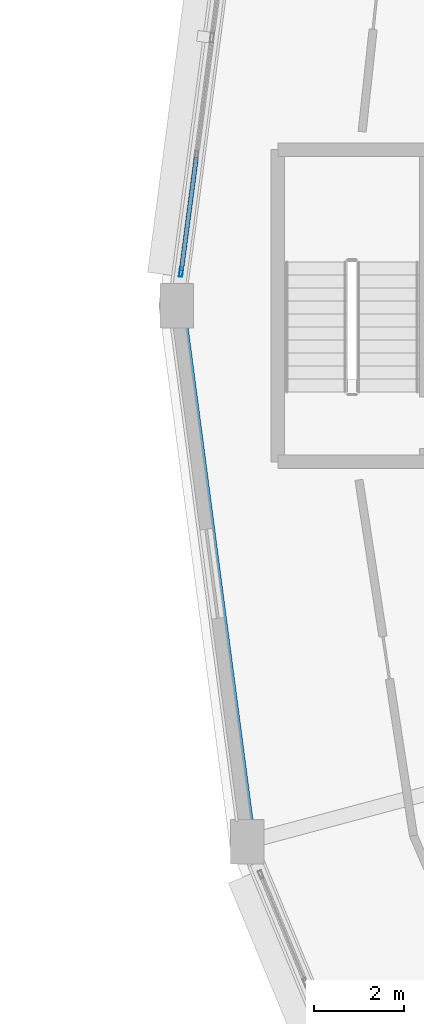
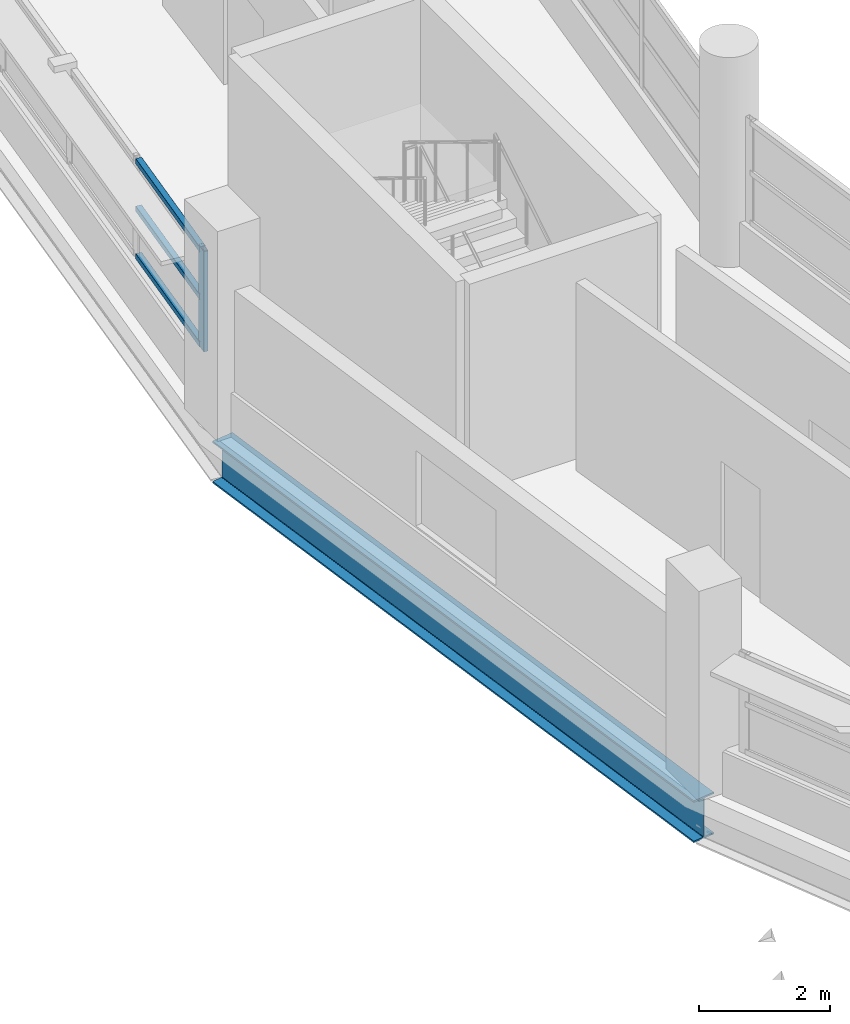
# One storey, part 19 of 121: 4 members, 1 beam, 1 element without a shape of its own.
"""IFC4 building model written with IfcOpenShell, lengths in metres."""

from ifc_helpers import new_model, si_unit, direction, frame, origin, origin_2d, place, context, subcontext, project, spatial, hollow_rectangle, i_section, extrude, material, layer, layer_set, material_profile, profile_set, type_object, element, aggregate, save


model = new_model("IFC4")

# Units and contexts
model_context = context("Model", 3, precision=1e-05, world=origin(), true_north=direction((0.0, 1.0)))
body_context = subcontext(model_context, "Body", "Model", "MODEL_VIEW")
ifc_project = project(units=[si_unit("LENGTHUNIT", "METRE"), si_unit("AREAUNIT", "SQUARE_METRE"), si_unit("VOLUMEUNIT", "CUBIC_METRE"), si_unit("PLANEANGLEUNIT", "RADIAN"), si_unit("MASSUNIT", "GRAM", prefix="KILO")], contexts=[model_context])

# Site, building, storey
site_placement = place(None, origin())
site = spatial("IfcSite", under=ifc_project, at=site_placement, CompositionType="ELEMENT")
building_placement = place(site_placement, origin())
building = spatial("IfcBuilding", under=site, at=building_placement, Name="Vespera Passage Community Centre", CompositionType="ELEMENT")
storey_placement = place(building_placement, frame((0.0, 0.0, 8.699951171875)))
storey = spatial("IfcBuildingStorey", under=building, at=storey_placement, Name="L02", CompositionType="ELEMENT", Elevation=8.699951171875)

# Beam
ifc_material_1 = material(Name="Steel ASTM A992 Grade 50", Category="steel")
ifc_material_profile_1 = material_profile(ifc_material_1, i_section(OverallWidth=0.382080078125, OverallDepth=0.779296875, WebThickness=0.01806640625, FlangeThickness=0.030029296875, FilletRadius=0.0166015625, at=origin_2d()), Name="W30X191")
ifc_profile_set_1 = profile_set([ifc_material_profile_1], Name="Steel ASTM A992 Grade 50")
beam_type = type_object("IfcBeamType", Name="BM-SP-W30X191E", PredefinedType="SPANDREL", material=ifc_profile_set_1)
beam_placement = place(storey_placement, frame((31.89990234375, 65.5, -0.729736328125), z_axis=(0.130523782115, -0.991445178667, 0.0), x_axis=(0.991445178667, 0.130523782115, 0.0)))
element("IfcBeam", 1, at=beam_placement, inside=storey, type_object=beam_type, Name="V4 L02 Outer Spandrel 12", PredefinedType="SPANDREL", context=body_context, shape_type="SweptSolid", body=[
    extrude(i_section(OverallWidth=0.382080078125, OverallDepth=0.779296875, WebThickness=0.01806640625, FlangeThickness=0.030029296875, FilletRadius=0.0166015625, at=origin_2d()), origin(), (0.0, 0.0, 1.0), 12.03466796875),
])

# Curtain wall, members
ifc_material_2 = material(Name="Anodized aluminium 6063-T6", Category="aluminium")
ifc_layer = layer(ifc_material_2, 0.159912109375)
ifc_layer_set = layer_set([ifc_layer], Name="Anodized aluminium 6063-T6")
curtain_wall_type = type_object("IfcCurtainWallType", Name="CW-33E", PredefinedType="NOTDEFINED", material=ifc_layer_set)
curtain_wall_placement = place(storey_placement, origin())
curtain_wall = element("IfcCurtainWall", 2, at=curtain_wall_placement, inside=storey, type_object=curtain_wall_type, Name="V4 L02 Outer Ribbon Curtain Wall 11", PredefinedType="NOTDEFINED")
ifc_material_3 = material(Name="Anodized aluminium 6063-T6", Category="aluminium")
ifc_material_profile_2 = material_profile(ifc_material_3, hollow_rectangle(XDim=0.074951171875, YDim=0.2099609375, WallThickness=0.0048828125, InnerFilletRadius=0.00244140625, OuterFilletRadius=0.0048828125, at=origin_2d()), Name="ALU210X75X5")
ifc_profile_set_2 = profile_set([ifc_material_profile_2], Name="Anodized aluminium 6063-T6")
member_type_1 = type_object("IfcMemberType", Name="MB-CWM-210E", PredefinedType="MULLION", material=ifc_profile_set_2)
member_1_placement = place(storey_placement, frame((31.998779296875, 66.25048828125, 0.820068359375), z_axis=(0.0, 0.0, 1.0), x_axis=(-0.991445298818, 0.130522869458, 0.0)))
member_1 = element("IfcMember", 3, at=member_1_placement, type_object=member_type_1, Name="CW-33E mullion 1", PredefinedType="MULLION", context=body_context, shape_type="SweptSolid", body=[
    extrude(hollow_rectangle(XDim=0.074951171875, YDim=0.2099609375, WallThickness=0.0048828125, InnerFilletRadius=0.00244140625, OuterFilletRadius=0.0048828125, at=origin_2d()), origin(), (0.0, 0.0, 1.0), 1.865478515625),
])
ifc_material_4 = material(Name="Anodized aluminium 6063-T6", Category="aluminium")
ifc_material_profile_3 = material_profile(ifc_material_4, hollow_rectangle(XDim=0.10009765625, YDim=0.10009765625, WallThickness=0.00390625, InnerFilletRadius=0.001953125, OuterFilletRadius=0.00390625, at=origin_2d()), Name="ALU100X100X4")
ifc_profile_set_3 = profile_set([ifc_material_profile_3], Name="Anodized aluminium 6063-T6")
member_type_2 = type_object("IfcMemberType", Name="MB-CWT-100E", PredefinedType="USERDEFINED", material=ifc_profile_set_3)
member_2_placement = place(storey_placement, frame((32.003662109375, 66.28759765625, 0.8701171875), z_axis=(0.130524231271, 0.991445119536, 0.0), x_axis=(-0.991445119536, 0.130524231271, 0.0)))
member_2 = element("IfcMember", 4, at=member_2_placement, type_object=member_type_2, Name="CW-33E transom 1.1", ObjectType="TRANSOM", PredefinedType="USERDEFINED", context=body_context, shape_type="SweptSolid", body=[
    extrude(hollow_rectangle(XDim=0.10009765625, YDim=0.10009765625, WallThickness=0.00390625, InnerFilletRadius=0.001953125, OuterFilletRadius=0.00390625, at=origin_2d()), origin(), (0.0, 0.0, 1.0), 2.536376953125),
])
member_3_placement = place(storey_placement, frame((32.003662109375, 66.28759765625, 1.7529296875), z_axis=(0.130524231271, 0.991445119536, 0.0), x_axis=(-0.991445119536, 0.130524231271, 0.0)))
member_3 = element("IfcMember", 5, at=member_3_placement, type_object=member_type_2, Name="CW-33E transom 1.2", ObjectType="TRANSOM", PredefinedType="USERDEFINED", context=body_context, shape_type="SweptSolid", body=[
    extrude(hollow_rectangle(XDim=0.10009765625, YDim=0.10009765625, WallThickness=0.00390625, InnerFilletRadius=0.001953125, OuterFilletRadius=0.00390625, at=origin_2d()), origin(), (0.0, 0.0, 1.0), 2.536376953125),
])
member_4_placement = place(storey_placement, frame((32.003662109375, 66.28759765625, 2.6357421875), z_axis=(0.130524231271, 0.991445119536, 0.0), x_axis=(-0.991445119536, 0.130524231271, 0.0)))
member_4 = element("IfcMember", 6, at=member_4_placement, type_object=member_type_2, Name="CW-33E transom 1.3", ObjectType="TRANSOM", PredefinedType="USERDEFINED", context=body_context, shape_type="SweptSolid", body=[
    extrude(hollow_rectangle(XDim=0.10009765625, YDim=0.10009765625, WallThickness=0.00390625, InnerFilletRadius=0.001953125, OuterFilletRadius=0.00390625, at=origin_2d()), origin(), (0.0, 0.0, 1.0), 2.536376953125),
])
aggregate(curtain_wall, [member_1, member_2, member_3, member_4])

save(model, "model.ifc")
